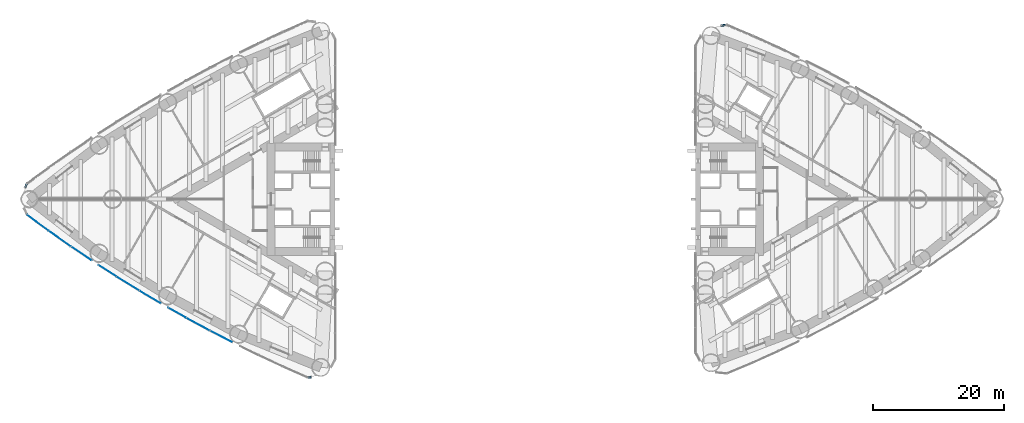
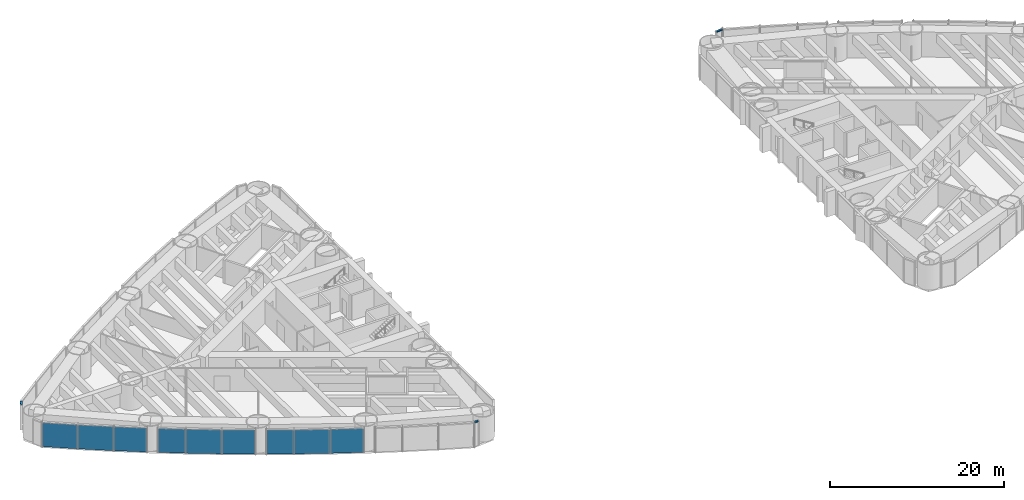
# One storey, part 9 of 20: 9 plates, 3 members, 6 elements without a shape of their own.
"""IFC4 building model written with IfcOpenShell, lengths in metres."""

from ifc_helpers import new_model, si_unit, direction, frame, origin, origin_2d, place, context, subcontext, project, spatial, rectangle, extrude, material, layer, layer_set, material_profile, profile_set, type_object, element, aggregate, save


model = new_model("IFC4")

# Units and contexts
model_context = context("Model", 3, precision=1e-05, world=origin(), true_north=direction((0.0, 1.0)))
body_context = subcontext(model_context, "Body", "Model", "MODEL_VIEW")
ifc_project = project(units=[si_unit("LENGTHUNIT", "METRE"), si_unit("AREAUNIT", "SQUARE_METRE"), si_unit("VOLUMEUNIT", "CUBIC_METRE"), si_unit("PLANEANGLEUNIT", "RADIAN"), si_unit("MASSUNIT", "GRAM", prefix="KILO")], contexts=[model_context])

# Site, building, storey
site_placement = place(None, origin())
site = spatial("IfcSite", under=ifc_project, at=site_placement, CompositionType="ELEMENT")
building_placement = place(site_placement, origin())
building = spatial("IfcBuilding", under=site, at=building_placement, Name="Lancet Gate Hotel", CompositionType="ELEMENT")
storey_placement = place(building_placement, frame((0.0, 0.0, 77.5)))
storey = spatial("IfcBuildingStorey", under=building, at=storey_placement, Name="L20", CompositionType="ELEMENT", Elevation=77.5)

# Curtain wall, member
ifc_material_1 = material(Name="Aluminium curtain wall", Category="aluminium")
curtain_wall_type = type_object("IfcCurtainWallType", Name="Tower unitised curtain wall", PredefinedType="USERDEFINED", material=ifc_material_1)
curtain_wall_1_placement = place(storey_placement, origin())
curtain_wall_1 = element("IfcCurtainWall", 1, at=curtain_wall_1_placement, inside=storey, type_object=curtain_wall_type, Name="T1 L20 curtain wall 5", ObjectType="UNITISED CURTAIN WALL", PredefinedType="USERDEFINED")
ifc_material_2 = material(Name="Aluminium transom", Category="aluminium")
ifc_material_profile = material_profile(ifc_material_2, rectangle(XDim=0.25, YDim=0.14990234375, at=origin_2d()), Name="TRANSOM 250x150")
ifc_profile_set = profile_set([ifc_material_profile], Name="Aluminium transom")
member_type = type_object("IfcMemberType", Name="Aluminium transom 250x150", PredefinedType="USERDEFINED", material=ifc_profile_set)
member_1_placement = place(storey_placement, frame((-74.597412109375, 2.37255859375, 3.425048828125), z_axis=(-0.447763335513, -0.89415210975, 0.0), x_axis=(0.89415210975, -0.447763335513, 0.0)))
member_1 = element("IfcMember", 2, at=member_1_placement, type_object=member_type, Name="T1 L20 curtain wall 5 transom 4", ObjectType="TRANSOM", PredefinedType="USERDEFINED", context=body_context, shape_type="SweptSolid", body=[
    extrude(rectangle(XDim=0.25, YDim=0.14990234375, at=origin_2d()), origin(), (0.0, 0.0, 1.0), 0.71044921875),
])
aggregate(curtain_wall_1, [member_1])

curtain_wall_2_placement = place(storey_placement, origin())
curtain_wall_2 = element("IfcCurtainWall", 3, at=curtain_wall_2_placement, inside=storey, type_object=curtain_wall_type, Name="T1 L20 curtain wall 9", ObjectType="UNITISED CURTAIN WALL", PredefinedType="USERDEFINED")
member_2_placement = place(storey_placement, frame((-31.65625, -27.242919921875, 3.425048828125), z_axis=(0.996176934888, 0.087358539348, 0.0), x_axis=(-0.087358539348, 0.996176934888, 0.0)))
member_2 = element("IfcMember", 4, at=member_2_placement, type_object=member_type, Name="T1 L20 curtain wall 9 transom 4", ObjectType="TRANSOM", PredefinedType="USERDEFINED", context=body_context, shape_type="SweptSolid", body=[
    extrude(rectangle(XDim=0.25, YDim=0.14990234375, at=origin_2d()), origin(), (0.0, 0.0, 1.0), 0.505859375),
])
aggregate(curtain_wall_2, [member_2])

curtain_wall_3_placement = place(storey_placement, origin())
curtain_wall_3 = element("IfcCurtainWall", 5, at=curtain_wall_3_placement, inside=storey, type_object=curtain_wall_type, Name="T2 L20 curtain wall 9", ObjectType="UNITISED CURTAIN WALL", PredefinedType="USERDEFINED")
member_3_placement = place(storey_placement, frame((32.28515625, 26.6240234375, 3.425048828125), z_axis=(-0.99466679181, -0.103140551052, 0.0), x_axis=(0.103140551052, -0.99466679181, 0.0)))
member_3 = element("IfcMember", 6, at=member_3_placement, type_object=member_type, Name="T2 L20 curtain wall 9 transom 4", ObjectType="TRANSOM", PredefinedType="USERDEFINED", context=body_context, shape_type="SweptSolid", body=[
    extrude(rectangle(XDim=0.25, YDim=0.14990234375, at=origin_2d()), origin(), (0.0, 0.0, 1.0), 0.897216796875),
])
aggregate(curtain_wall_3, [member_3])

# Curtain wall, plates
curtain_wall_4_placement = place(storey_placement, origin())
curtain_wall_4 = element("IfcCurtainWall", 7, at=curtain_wall_4_placement, inside=storey, type_object=curtain_wall_type, Name="T1 L20 curtain wall 6", ObjectType="UNITISED CURTAIN WALL", PredefinedType="USERDEFINED")
ifc_material_3 = material(Name="Glass double glazed unit 8-16-6", Category="glass")
ifc_layer = layer(ifc_material_3, 0.030029296875)
ifc_layer_set = layer_set([ifc_layer], Name="Vision panel double glazed")
plate_type = type_object("IfcPlateType", Name="Vision panel double glazed", PredefinedType="CURTAIN_PANEL", material=ifc_layer_set)
plate_1_placement = place(storey_placement, frame((-72.91357421875, -3.6259765625, 0.0), z_axis=(0.0, 0.0, 1.0), x_axis=(0.80639010009, -0.591383975499, 0.0)))
plate_1 = element("IfcPlate", 8, at=plate_1_placement, type_object=plate_type, Name="T1 L20 curtain wall 6 panel 2", PredefinedType="CURTAIN_PANEL", context=body_context, shape_type="SweptSolid", body=[
    extrude(rectangle(XDim=4.0751953125, YDim=0.030029296875, at=origin_2d()), origin(), (0.0, 0.0, 1.0), 3.35009765625),
])
plate_2_placement = place(storey_placement, frame((-69.55126953125, -6.04150390625, 0.0), z_axis=(0.0, 0.0, 1.0), x_axis=(0.817825154435, -0.575466781642, 0.0)))
plate_2 = element("IfcPlate", 9, at=plate_2_placement, type_object=plate_type, Name="T1 L20 curtain wall 6 panel 3", PredefinedType="CURTAIN_PANEL", context=body_context, shape_type="SweptSolid", body=[
    extrude(rectangle(XDim=4.0751953125, YDim=0.030029296875, at=origin_2d()), origin(), (0.0, 0.0, 1.0), 3.35009765625),
])
plate_3_placement = place(storey_placement, frame((-66.281005859375, -8.296875, 0.0), z_axis=(0.0, 0.0, 1.0), x_axis=(0.828946067803, -0.559328540907, 0.0)))
plate_3 = element("IfcPlate", 10, at=plate_3_placement, type_object=plate_type, Name="T1 L20 curtain wall 6 panel 4", PredefinedType="CURTAIN_PANEL", context=body_context, shape_type="SweptSolid", body=[
    extrude(rectangle(XDim=3.740234375, YDim=0.030029296875, at=origin_2d()), origin(), (0.0, 0.0, 1.0), 3.35009765625),
])
aggregate(curtain_wall_4, [plate_1, plate_2, plate_3])

curtain_wall_5_placement = place(storey_placement, origin())
curtain_wall_5 = element("IfcCurtainWall", 11, at=curtain_wall_5_placement, inside=storey, type_object=curtain_wall_type, Name="T1 L20 curtain wall 7", ObjectType="UNITISED CURTAIN WALL", PredefinedType="USERDEFINED")
plate_4_placement = place(storey_placement, frame((-62.2880859375, -10.93115234375, 0.0), z_axis=(0.0, 0.0, 1.0), x_axis=(0.839748568448, -0.54297545229, 0.0)))
plate_4 = element("IfcPlate", 12, at=plate_4_placement, type_object=plate_type, Name="T1 L20 curtain wall 7 panel 1", PredefinedType="CURTAIN_PANEL", context=body_context, shape_type="SweptSolid", body=[
    extrude(rectangle(XDim=3.123046875, YDim=0.030029296875, at=origin_2d()), origin(), (0.0, 0.0, 1.0), 3.35009765625),
])
plate_5_placement = place(storey_placement, frame((-59.189208984375, -12.88623046875, 0.0), z_axis=(0.0, 0.0, 1.0), x_axis=(0.850228506958, -0.52641379727, 0.0)))
plate_5 = element("IfcPlate", 13, at=plate_5_placement, type_object=plate_type, Name="T1 L20 curtain wall 7 panel 2", PredefinedType="CURTAIN_PANEL", context=body_context, shape_type="SweptSolid", body=[
    extrude(rectangle(XDim=4.0751953125, YDim=0.030029296875, at=origin_2d()), origin(), (0.0, 0.0, 1.0), 3.35009765625),
])
plate_6_placement = place(storey_placement, frame((-55.7841796875, -14.95068359375, 0.0), z_axis=(0.0, 0.0, 1.0), x_axis=(0.860381857795, -0.509649937484, 0.0)))
plate_6 = element("IfcPlate", 14, at=plate_6_placement, type_object=plate_type, Name="T1 L20 curtain wall 7 panel 3", PredefinedType="CURTAIN_PANEL", context=body_context, shape_type="SweptSolid", body=[
    extrude(rectangle(XDim=3.75927734375, YDim=0.030029296875, at=origin_2d()), origin(), (0.0, 0.0, 1.0), 3.35009765625),
])
aggregate(curtain_wall_5, [plate_4, plate_5, plate_6])

curtain_wall_6_placement = place(storey_placement, origin())
curtain_wall_6 = element("IfcCurtainWall", 15, at=curtain_wall_6_placement, inside=storey, type_object=curtain_wall_type, Name="T1 L20 curtain wall 8", ObjectType="UNITISED CURTAIN WALL", PredefinedType="USERDEFINED")
plate_7_placement = place(storey_placement, frame((-51.640380859375, -17.346923828125, 0.0), z_axis=(0.0, 0.0, 1.0), x_axis=(0.870204720871, -0.492690312238, 0.0)))
plate_7 = element("IfcPlate", 16, at=plate_7_placement, type_object=plate_type, Name="T1 L20 curtain wall 8 panel 1", PredefinedType="CURTAIN_PANEL", context=body_context, shape_type="SweptSolid", body=[
    extrude(rectangle(XDim=3.09814453125, YDim=0.030029296875, at=origin_2d()), origin(), (0.0, 0.0, 1.0), 3.35009765625),
])
plate_8_placement = place(storey_placement, frame((-48.443115234375, -19.110595703125, 0.0), z_axis=(0.0, 0.0, 1.0), x_axis=(0.87969332307, -0.475541435993, 0.0)))
plate_8 = element("IfcPlate", 17, at=plate_8_placement, type_object=plate_type, Name="T1 L20 curtain wall 8 panel 2", PredefinedType="CURTAIN_PANEL", context=body_context, shape_type="SweptSolid", body=[
    extrude(rectangle(XDim=4.0751953125, YDim=0.030029296875, at=origin_2d()), origin(), (0.0, 0.0, 1.0), 3.35009765625),
])
plate_9_placement = place(storey_placement, frame((-44.905029296875, -20.97998046875, 0.0), z_axis=(0.0, 0.0, 1.0), x_axis=(0.888844019644, -0.458209895946, 0.0)))
plate_9 = element("IfcPlate", 18, at=plate_9_placement, type_object=plate_type, Name="T1 L20 curtain wall 8 panel 3", PredefinedType="CURTAIN_PANEL", context=body_context, shape_type="SweptSolid", body=[
    extrude(rectangle(XDim=3.798095703125, YDim=0.030029296875, at=origin_2d()), origin(), (0.0, 0.0, 1.0), 3.35009765625),
])
aggregate(curtain_wall_6, [plate_7, plate_8, plate_9])

save(model, "model.ifc")
